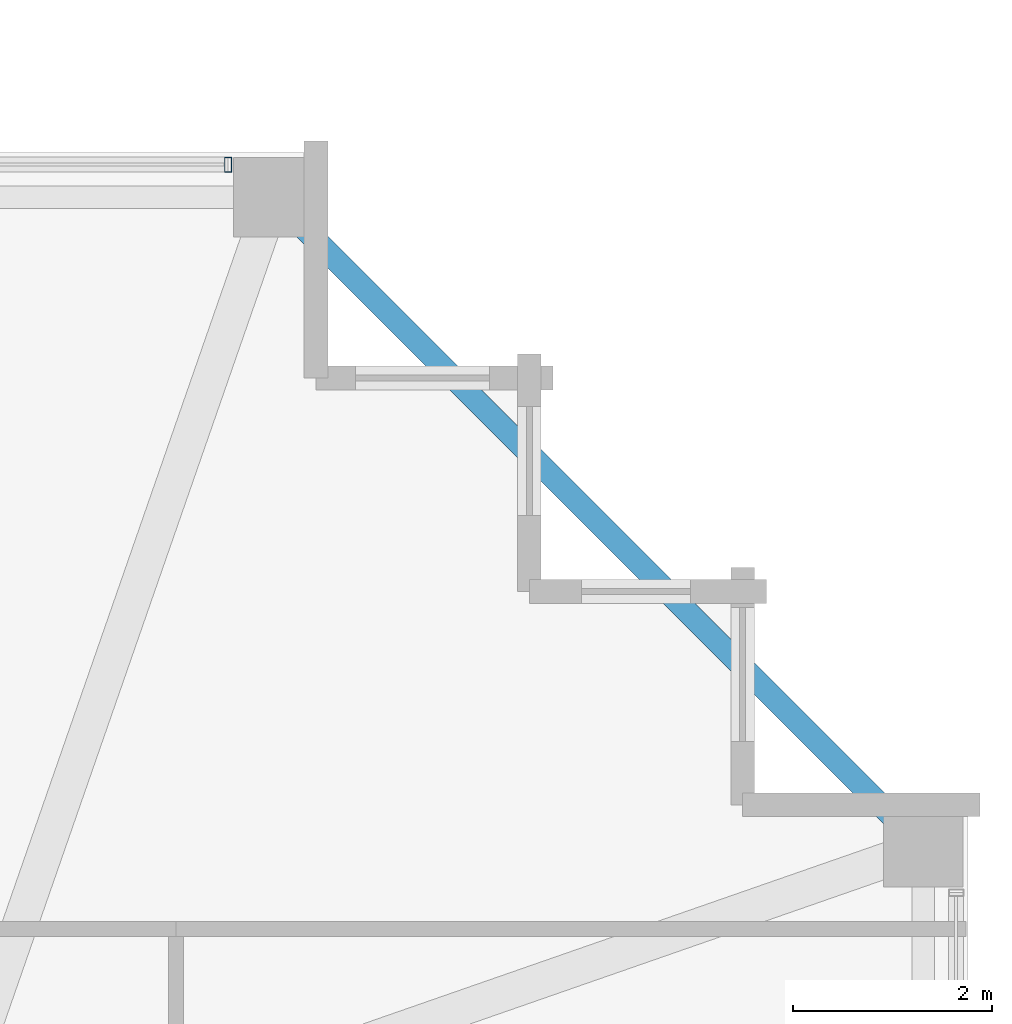
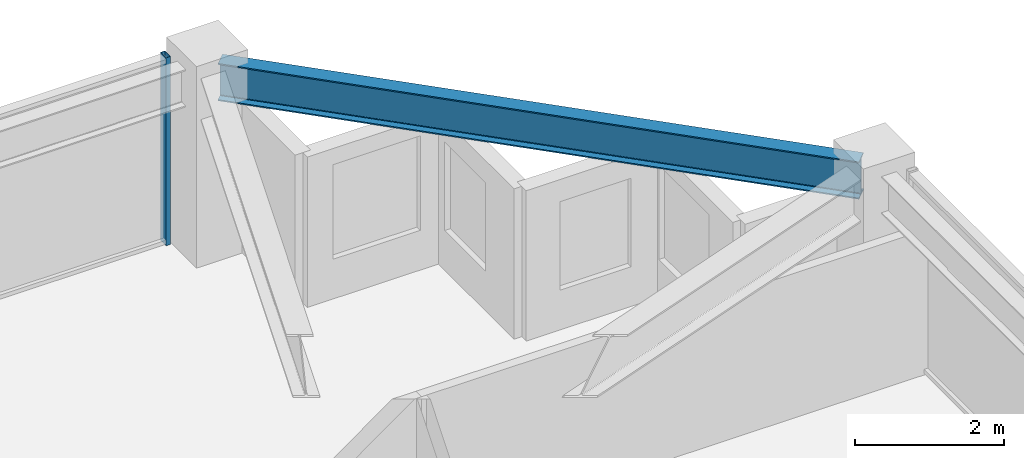
# One storey, part 22 of 36: 1 beam, 1 member, 1 element without a shape of its own.
"""IFC4 building model written with IfcOpenShell, lengths in metres."""

from ifc_helpers import new_model, si_unit, direction, frame, origin, origin_2d, place, context, subcontext, project, spatial, hollow_rectangle, i_section, extrude, material, material_profile, profile_set, type_object, element, aggregate, save


model = new_model("IFC4")

# Units and contexts
model_context = context("Model", 3, precision=1e-05, world=origin(), true_north=direction((0.0, 1.0)))
body_context = subcontext(model_context, "Body", "Model", "MODEL_VIEW")
ifc_project = project(units=[si_unit("LENGTHUNIT", "METRE"), si_unit("AREAUNIT", "SQUARE_METRE"), si_unit("VOLUMEUNIT", "CUBIC_METRE"), si_unit("PLANEANGLEUNIT", "RADIAN"), si_unit("MASSUNIT", "GRAM", prefix="KILO")], contexts=[model_context])

# Site, building, storey
site_placement = place(None, origin())
site = spatial("IfcSite", under=ifc_project, at=site_placement, CompositionType="ELEMENT")
building_placement = place(site_placement, origin())
building = spatial("IfcBuilding", under=site, at=building_placement, Name="Kolvaren Belvedere", CompositionType="ELEMENT")
storey_placement = place(building_placement, frame((0.0, 0.0, 199.800048828125)))
storey = spatial("IfcBuildingStorey", under=building, at=storey_placement, Name="L58", CompositionType="ELEMENT", Elevation=199.800048828125)

# Beam
ifc_material_1 = material(Name="Structural steel ASTM A992 Grade 50", Category="steel")
ifc_material_profile_1 = material_profile(ifc_material_1, i_section(OverallWidth=0.22900390625, OverallDepth=0.612060546875, WebThickness=0.011962890625, FlangeThickness=0.01953125, FilletRadius=0.01806640625, at=origin_2d()), Name="W24X84")
ifc_profile_set_1 = profile_set([ifc_material_profile_1], Name="Structural steel ASTM A992 Grade 50")
beam_type = type_object("IfcBeamType", Name="BM-SPAN-W24X84", PredefinedType="SPANDREL", material=ifc_profile_set_1)
beam_placement = place(storey_placement, frame((19.82275390625, 13.52734375, 2.77392578125), z_axis=(-0.707106781187, 0.707106781187, 0.0), x_axis=(-0.707106781187, -0.707106781187, 0.0)))
element("IfcBeam", 1, at=beam_placement, inside=storey, type_object=beam_type, Name="L58 Perimeter Spandrel E4-N4", PredefinedType="SPANDREL", context=body_context, shape_type="SweptSolid", body=[
    extrude(i_section(OverallWidth=0.22900390625, OverallDepth=0.612060546875, WebThickness=0.011962890625, FlangeThickness=0.01953125, FilletRadius=0.01806640625, at=origin_2d()), origin(), (0.0, 0.0, 1.0), 8.903076171875),
])

# Curtain wall, member
ifc_material_2 = material(Name="Anodised pale-metal aluminium AA 6063-T6", Category="aluminium")
curtain_wall_type = type_object("IfcCurtainWallType", Name="CW-Z5-HIGH", PredefinedType="NOTDEFINED", material=ifc_material_2)
curtain_wall_placement = place(storey_placement, origin())
curtain_wall = element("IfcCurtainWall", 2, at=curtain_wall_placement, inside=storey, type_object=curtain_wall_type, Name="L58 Unitised Curtain Wall FCW-L58-N2-B2", PredefinedType="NOTDEFINED")
ifc_material_3 = material(Name="Anodised pale-metal aluminium AA 6063-T6", Category="aluminium")
ifc_material_profile_2 = material_profile(ifc_material_3, hollow_rectangle(XDim=0.070068359375, YDim=0.14990234375, WallThickness=0.004150390625, at=origin_2d()), Name="ALU-MUL-150X70")
ifc_profile_set_2 = profile_set([ifc_material_profile_2], Name="Anodised pale-metal aluminium AA 6063-T6")
member_type = type_object("IfcMemberType", Name="CW-MUL-150", PredefinedType="MULLION", material=ifc_profile_set_2)
member_placement = place(storey_placement, frame((12.945068359375, 20.280029296875, 0.0), z_axis=(0.0, 0.0, 1.0), x_axis=(1.0, 0.0, 0.0)))
member = element("IfcMember", 3, at=member_placement, type_object=member_type, Name="FCW-L58-N2-B2 Unitised Mullion 3", PredefinedType="MULLION", context=body_context, shape_type="SweptSolid", body=[
    extrude(hollow_rectangle(XDim=0.070068359375, YDim=0.14990234375, WallThickness=0.004150390625, at=origin_2d()), origin(), (0.0, 0.0, 1.0), 3.079833984375),
])
aggregate(curtain_wall, [member])

save(model, "model.ifc")
